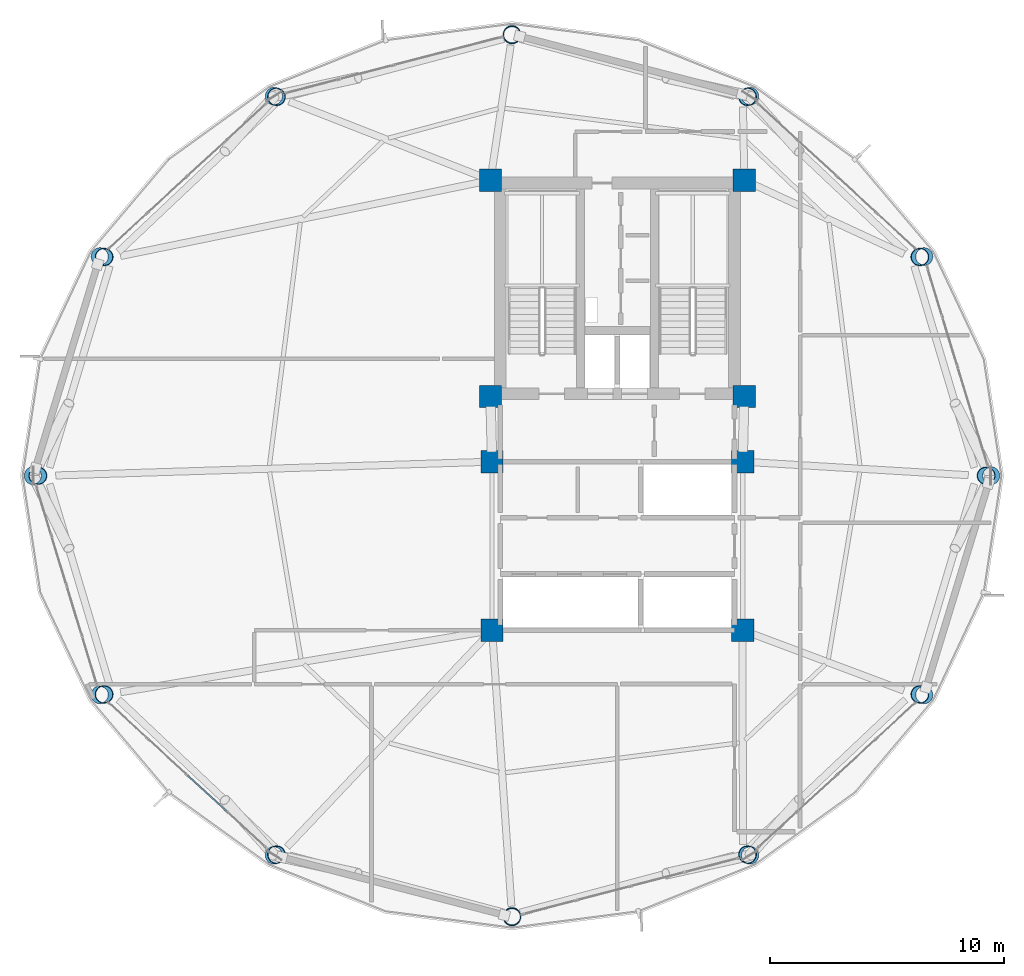
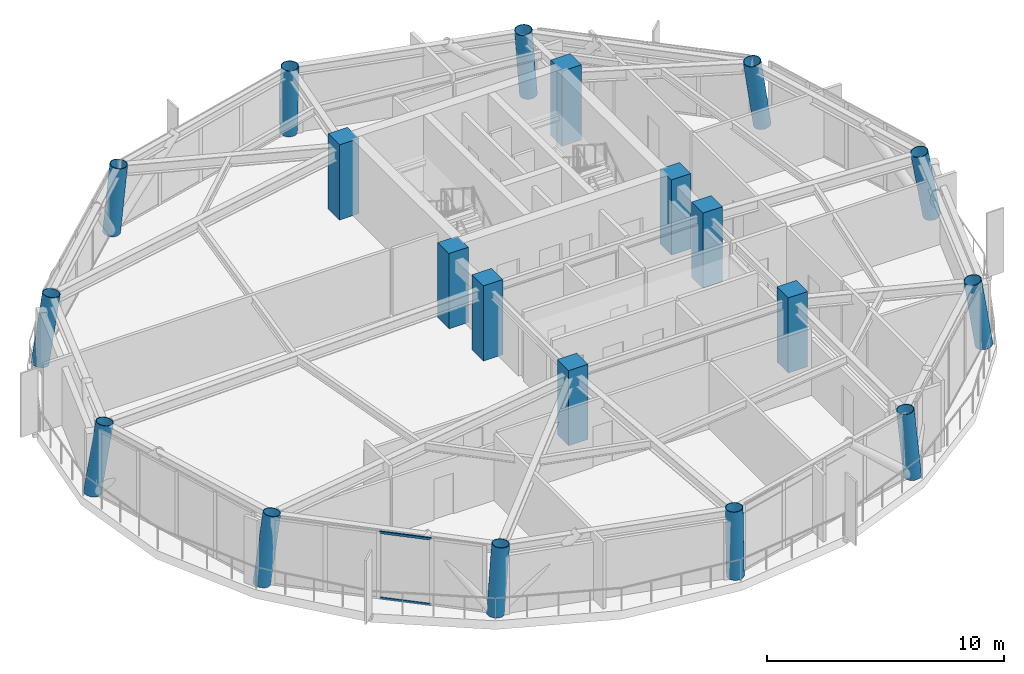
# One storey, part 1 of 26: 20 columns, 2 members, 1 element without a shape of its own.
"""IFC4 building model written with IfcOpenShell, lengths in metres."""

from ifc_helpers import new_model, si_unit, direction, frame, origin, origin_2d, place, context, subcontext, project, spatial, rectangle, hollow_rectangle, hollow_circle, extrude, material, layer, layer_set, material_profile, profile_set, type_object, element, aggregate, save


model = new_model("IFC4")

# Units and contexts
model_context = context("Model", 3, precision=1e-05, world=origin(), true_north=direction((0.0, 1.0)))
body_context = subcontext(model_context, "Body", "Model", "MODEL_VIEW")
ifc_project = project(units=[si_unit("LENGTHUNIT", "METRE"), si_unit("AREAUNIT", "SQUARE_METRE"), si_unit("VOLUMEUNIT", "CUBIC_METRE"), si_unit("PLANEANGLEUNIT", "RADIAN"), si_unit("MASSUNIT", "GRAM", prefix="KILO")], contexts=[model_context])

# Site, building, storey
site_placement = place(None, origin())
site = spatial("IfcSite", under=ifc_project, at=site_placement, CompositionType="ELEMENT")
building_placement = place(site_placement, origin())
building = spatial("IfcBuilding", under=site, at=building_placement, Name="Varnakorn Sky Granary", CompositionType="ELEMENT")
storey_placement = place(building_placement, frame((0.0, 0.0, 169.5)))
storey = spatial("IfcBuildingStorey", under=building, at=storey_placement, Name="L42", CompositionType="ELEMENT", Elevation=169.5)

# Columns
ifc_material_1 = material(Name="Steel S460M", Category="steel")
ifc_material_profile_1 = material_profile(ifc_material_1, hollow_circle(Radius=0.381103515625, WallThickness=0.028076171875, at=origin_2d()), Name="CHS 762x28")
ifc_profile_set_1 = profile_set([ifc_material_profile_1], Name="Steel S460M")
column_type_1 = type_object("IfcColumnType", Name="COL-DC-Z3", PredefinedType="COLUMN", material=ifc_profile_set_1)
column_1_placement = place(storey_placement, frame((18.949951171875, 0.0, 0.0), z_axis=(-0.17130292437, 0.0, 0.985218406295), x_axis=(0.0, -1.0, 0.0)))
element("IfcColumn", 1, at=column_1_placement, inside=storey, type_object=column_type_1, Name="Drum Perimeter Column DC01 L42", PredefinedType="COLUMN", context=body_context, shape_type="SweptSolid", body=[
    extrude(hollow_circle(Radius=0.381103515625, WallThickness=0.028076171875, at=origin_2d()), origin(), (0.0, 0.0, 1.0), 3.501708984375),
])
column_2_placement = place(storey_placement, frame((16.09326171875, 9.357421875, 0.0), z_axis=(-0.14889671084, -0.014273932806, 0.98874972786), x_axis=(0.095427175024, -0.995436413975, 0.0)))
element("IfcColumn", 2, at=column_2_placement, inside=storey, type_object=column_type_1, Name="Drum Perimeter Column DC02 L42", PredefinedType="COLUMN", context=body_context, shape_type="SweptSolid", body=[
    extrude(hollow_circle(Radius=0.381103515625, WallThickness=0.028076171875, at=origin_2d()), origin(), (0.0, 0.0, 1.0), 3.4892578125),
])
column_3_placement = place(storey_placement, frame((8.657470703125, 16.207763671875, 0.0), z_axis=(-0.086617703908, -0.025019759876, 0.995927399455), x_axis=(0.277507586105, -0.960723445979, 0.0)))
element("IfcColumn", 3, at=column_3_placement, inside=storey, type_object=column_type_1, Name="Drum Perimeter Column DC03 L42", PredefinedType="COLUMN", context=body_context, shape_type="SweptSolid", body=[
    extrude(hollow_circle(Radius=0.381103515625, WallThickness=0.028076171875, at=origin_2d()), origin(), (0.0, 0.0, 1.0), 3.464111328125),
])
column_4_placement = place(storey_placement, frame((-1.5, 18.85009765625, 0.0), z_axis=(0.0, -0.029002019299, 0.999579352966), x_axis=(1.0, 0.0, 0.0)))
element("IfcColumn", 4, at=column_4_placement, inside=storey, type_object=column_type_1, Name="Drum Perimeter Column DC04 L42", PredefinedType="COLUMN", context=body_context, shape_type="SweptSolid", body=[
    extrude(hollow_circle(Radius=0.381103515625, WallThickness=0.028076171875, at=origin_2d()), origin(), (0.0, 0.0, 1.0), 3.451416015625),
])
column_5_placement = place(storey_placement, frame((-11.657470703125, 16.207763671875, 0.0), z_axis=(0.086617703908, -0.025019759876, 0.995927399455), x_axis=(0.277507586105, 0.960723445979, 0.0)))
element("IfcColumn", 5, at=column_5_placement, inside=storey, type_object=column_type_1, Name="Drum Perimeter Column DC05 L42", PredefinedType="COLUMN", context=body_context, shape_type="SweptSolid", body=[
    extrude(hollow_circle(Radius=0.381103515625, WallThickness=0.028076171875, at=origin_2d()), origin(), (0.0, 0.0, 1.0), 3.464111328125),
])
column_6_placement = place(storey_placement, frame((-19.09326171875, 9.357421875, 0.0), z_axis=(0.14889671084, -0.014273932806, 0.98874972786), x_axis=(0.095427175024, 0.995436413975, 0.0)))
element("IfcColumn", 6, at=column_6_placement, inside=storey, type_object=column_type_1, Name="Drum Perimeter Column DC06 L42", PredefinedType="COLUMN", context=body_context, shape_type="SweptSolid", body=[
    extrude(hollow_circle(Radius=0.381103515625, WallThickness=0.028076171875, at=origin_2d()), origin(), (0.0, 0.0, 1.0), 3.4892578125),
])
column_7_placement = place(storey_placement, frame((-21.949951171875, 0.0, 0.0), z_axis=(0.17130292437, 0.0, 0.985218406295), x_axis=(0.0, 1.0, 0.0)))
element("IfcColumn", 7, at=column_7_placement, inside=storey, type_object=column_type_1, Name="Drum Perimeter Column DC07 L42", PredefinedType="COLUMN", context=body_context, shape_type="SweptSolid", body=[
    extrude(hollow_circle(Radius=0.381103515625, WallThickness=0.028076171875, at=origin_2d()), origin(), (0.0, 0.0, 1.0), 3.501708984375),
])
column_8_placement = place(storey_placement, frame((-19.09326171875, -9.357421875, 0.0), z_axis=(0.14889671084, 0.014273932806, 0.98874972786), x_axis=(-0.095427175024, 0.995436413975, 0.0)))
element("IfcColumn", 8, at=column_8_placement, inside=storey, type_object=column_type_1, Name="Drum Perimeter Column DC08 L42", PredefinedType="COLUMN", context=body_context, shape_type="SweptSolid", body=[
    extrude(hollow_circle(Radius=0.381103515625, WallThickness=0.028076171875, at=origin_2d()), origin(), (0.0, 0.0, 1.0), 3.4892578125),
])
column_9_placement = place(storey_placement, frame((-11.657470703125, -16.207763671875, 0.0), z_axis=(0.086617703908, 0.025019759876, 0.995927399455), x_axis=(-0.277507586105, 0.960723445979, 0.0)))
element("IfcColumn", 9, at=column_9_placement, inside=storey, type_object=column_type_1, Name="Drum Perimeter Column DC09 L42", PredefinedType="COLUMN", context=body_context, shape_type="SweptSolid", body=[
    extrude(hollow_circle(Radius=0.381103515625, WallThickness=0.028076171875, at=origin_2d()), origin(), (0.0, 0.0, 1.0), 3.464111328125),
])
column_10_placement = place(storey_placement, frame((-1.5, -18.85009765625, 0.0), z_axis=(0.0, 0.029002019299, 0.999579352966), x_axis=(-1.0, 0.0, 0.0)))
element("IfcColumn", 10, at=column_10_placement, inside=storey, type_object=column_type_1, Name="Drum Perimeter Column DC10 L42", PredefinedType="COLUMN", context=body_context, shape_type="SweptSolid", body=[
    extrude(hollow_circle(Radius=0.381103515625, WallThickness=0.028076171875, at=origin_2d()), origin(), (0.0, 0.0, 1.0), 3.451416015625),
])
column_11_placement = place(storey_placement, frame((8.657470703125, -16.207763671875, 0.0), z_axis=(-0.086617703908, 0.025019759876, 0.995927399455), x_axis=(-0.277507586105, -0.960723445979, 0.0)))
element("IfcColumn", 11, at=column_11_placement, inside=storey, type_object=column_type_1, Name="Drum Perimeter Column DC11 L42", PredefinedType="COLUMN", context=body_context, shape_type="SweptSolid", body=[
    extrude(hollow_circle(Radius=0.381103515625, WallThickness=0.028076171875, at=origin_2d()), origin(), (0.0, 0.0, 1.0), 3.464111328125),
])
column_12_placement = place(storey_placement, frame((16.09326171875, -9.357421875, 0.0), z_axis=(-0.14889671084, 0.014273932806, 0.98874972786), x_axis=(-0.095427175024, -0.995436413975, 0.0)))
element("IfcColumn", 12, at=column_12_placement, inside=storey, type_object=column_type_1, Name="Drum Perimeter Column DC12 L42", PredefinedType="COLUMN", context=body_context, shape_type="SweptSolid", body=[
    extrude(hollow_circle(Radius=0.381103515625, WallThickness=0.028076171875, at=origin_2d()), origin(), (0.0, 0.0, 1.0), 3.4892578125),
])
ifc_material_2 = material(Name="Concrete C50/60", Category="concrete")
ifc_material_profile_2 = material_profile(ifc_material_2, rectangle(XDim=0.949951171875, YDim=0.949951171875, at=origin_2d()), Name="RC 950x950")
ifc_profile_set_2 = profile_set([ifc_material_profile_2], Name="Concrete C50/60")
column_type_2 = type_object("IfcColumnType", Name="COL-MC-Z3", PredefinedType="COLUMN", material=ifc_profile_set_2)
for number, where, z_axis, x_axis, name in (
    (13, (-2.419921875, 12.6201171875, 0.0), (0.0, 0.0, 1.0), (1.0, 0.0, 0.0), "Backbone Mega-Column MC1 L42"),
    (14, (8.419921875, 12.6201171875, 0.0), (0.0, 0.0, 1.0), (1.0, 0.0, 0.0), "Backbone Mega-Column MC2 L42"),
    (15, (-2.419921875, 3.3798828125, 0.0), (0.0, 0.0, 1.0), (1.0, 0.0, 0.0), "Backbone Mega-Column MC3 L42"),
    (16, (8.419921875, 3.3798828125, 0.0), (0.0, 0.0, 1.0), (1.0, 0.0, 0.0), "Backbone Mega-Column MC4 L42"),
    (17, (-2.35009765625, 0.60009765625, 0.0), (0.0, 0.0, 1.0), (1.0, 0.0, 0.0), "Backbone Mega-Column MC5 L42"),
    (18, (8.35009765625, 0.60009765625, 0.0), (0.0, 0.0, 1.0), (1.0, 0.0, 0.0), "Backbone Mega-Column MC6 L42"),
    (19, (-2.35009765625, -6.60009765625, 0.0), (0.0, 0.0, 1.0), (1.0, 0.0, 0.0), "Backbone Mega-Column MC7 L42"),
    (20, (8.35009765625, -6.60009765625, 0.0), (0.0, 0.0, 1.0), (1.0, 0.0, 0.0), "Backbone Mega-Column MC8 L42"),
):
    element("IfcColumn", number, at=place(storey_placement, frame(where, z_axis=z_axis, x_axis=x_axis)), inside=storey, type_object=column_type_2, Name=name, PredefinedType="COLUMN", context=body_context, shape_type="SweptSolid", body=[
        extrude(rectangle(XDim=0.949951171875, YDim=0.949951171875, at=origin_2d()), origin(), (0.0, 0.0, 1.0), 3.875),
    ])

# Curtain wall, members
ifc_material_3 = material(Name="Anodised Bronze Aluminium Alloy 6063-T6", Category="aluminium")
ifc_layer = layer(ifc_material_3, 0.179931640625, Name="Anodised Bronze Aluminium Alloy 6063-T6")
ifc_layer_set = layer_set([ifc_layer], Name="Anodised Bronze Aluminium Alloy 6063-T6")
curtain_wall_type = type_object("IfcCurtainWallType", Name="CW-FRM-2", PredefinedType="USERDEFINED", material=ifc_layer_set)
curtain_wall_placement = place(storey_placement, origin())
curtain_wall = element("IfcCurtainWall", 21, at=curtain_wall_placement, inside=storey, type_object=curtain_wall_type, Name="Unitised Curtain Wall CW4 CW-L42-B08", ObjectType="CURTAIN WALL", PredefinedType="USERDEFINED")
ifc_material_profile_3 = material_profile(ifc_material_3, hollow_rectangle(XDim=0.06494140625, YDim=0.1201171875, WallThickness=0.00341796875, at=origin_2d()), Name="ALU TRAN 65x120")
ifc_profile_set_3 = profile_set([ifc_material_profile_3], Name="Anodised Bronze Aluminium Alloy 6063-T6")
member_type = type_object("IfcMemberType", Name="CW-FRM-2-TRAN", PredefinedType="USERDEFINED", material=ifc_profile_set_3)
member_1_placement = place(storey_placement, frame((-13.704345703125, -14.322021484375, 0.032470703125), z_axis=(-0.735489285858, 0.677536353555, 0.0), x_axis=(-0.677536353555, -0.735489285858, 0.0)))
member_1 = element("IfcMember", 22, at=member_1_placement, type_object=member_type, Name="CW4 transom 2.1", ObjectType="TRANSOM", PredefinedType="USERDEFINED", context=body_context, shape_type="SweptSolid", body=[
    extrude(hollow_rectangle(XDim=0.06494140625, YDim=0.1201171875, WallThickness=0.00341796875, at=origin_2d()), origin(), (0.0, 0.0, 1.0), 2.237060546875),
])
member_2_placement = place(storey_placement, frame((-13.704345703125, -14.322021484375, 3.41748046875), z_axis=(-0.735489285858, 0.677536353555, 0.0), x_axis=(-0.677536353555, -0.735489285858, 0.0)))
member_2 = element("IfcMember", 23, at=member_2_placement, type_object=member_type, Name="CW4 transom 2.2", ObjectType="TRANSOM", PredefinedType="USERDEFINED", context=body_context, shape_type="SweptSolid", body=[
    extrude(hollow_rectangle(XDim=0.06494140625, YDim=0.1201171875, WallThickness=0.00341796875, at=origin_2d()), origin(), (0.0, 0.0, 1.0), 2.237060546875),
])
aggregate(curtain_wall, [member_1, member_2])

save(model, "model.ifc")
